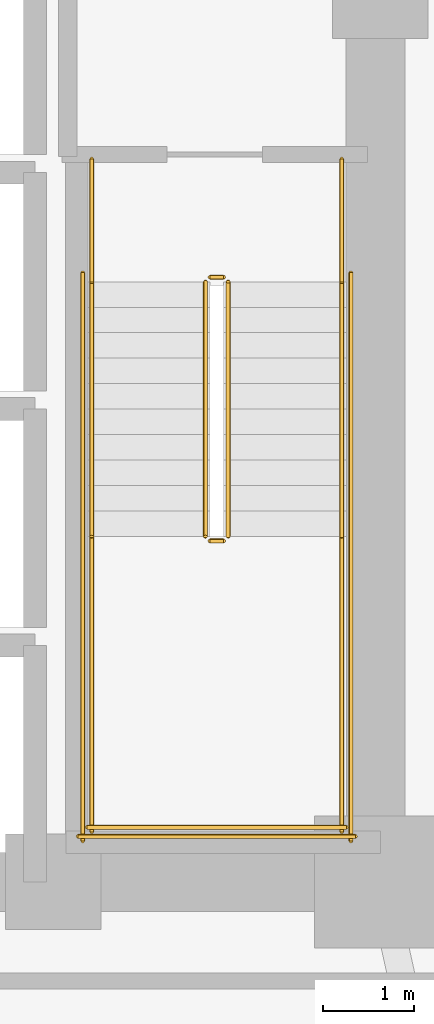
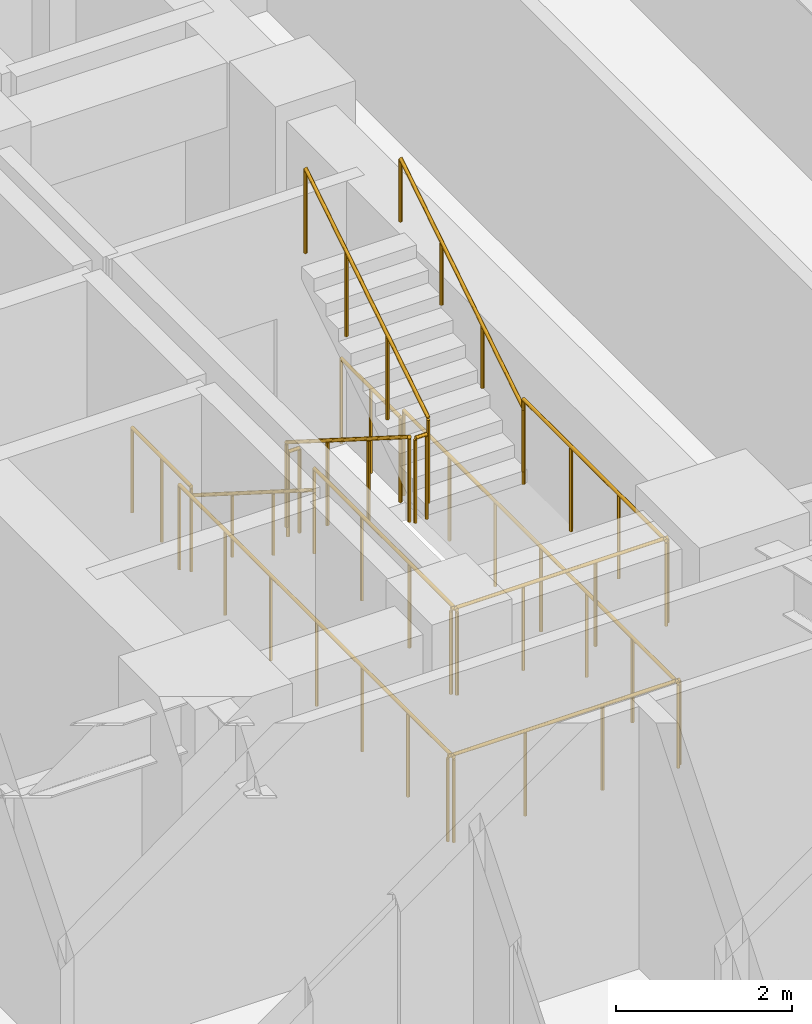
# One storey, part 11 of 11: 14 railings.
"""IFC4 building model written with IfcOpenShell, lengths in metres."""

from ifc_helpers import new_model, si_unit, direction, frame, origin, origin_2d, place, context, subcontext, project, spatial, circle, extrude, material, type_object, element, save


model = new_model("IFC4")

# Units and contexts
model_context = context("Model", 3, precision=1e-05, world=origin(), true_north=direction((0.0, 1.0)))
body_context = subcontext(model_context, "Body", "Model", "MODEL_VIEW")
ifc_project = project(units=[si_unit("LENGTHUNIT", "METRE"), si_unit("AREAUNIT", "SQUARE_METRE"), si_unit("VOLUMEUNIT", "CUBIC_METRE"), si_unit("PLANEANGLEUNIT", "RADIAN"), si_unit("MASSUNIT", "GRAM", prefix="KILO")], contexts=[model_context])

# Site, building, storey
site_placement = place(None, origin())
site = spatial("IfcSite", under=ifc_project, at=site_placement, CompositionType="ELEMENT")
building_placement = place(site_placement, origin())
building = spatial("IfcBuilding", under=site, at=building_placement, Name="Voryun Gate Residences", CompositionType="ELEMENT")
storey_placement = place(building_placement, frame((0.0, 0.0, 37.699951171875)))
storey = spatial("IfcBuildingStorey", under=building, at=storey_placement, Name="L08", CompositionType="ELEMENT", Elevation=37.699951171875)

# Railings
ifc_material_1 = material(Name="Painted steel", Category="steel")
railing_type_1 = type_object("IfcRailingType", Name="RAIL_STAIR_GUARD_1200", PredefinedType="GUARDRAIL", material=ifc_material_1)
railing_1_placement = place(storey_placement, frame((17.27490234375, -0.800048828125, 0.17724609375)))
element("IfcRailing", 1, at=railing_1_placement, inside=storey, type_object=railing_type_1, Name="L08 ST-E1 stair guard 1", PredefinedType="GUARDRAIL", context=body_context, shape_type="SweptSolid", body=[
    extrude(circle(Radius=0.02392578125, at=origin_2d()), frame((0.0, 0.0, 1.17578125), z_axis=(0.0, -0.844908973607, 0.534910110503), x_axis=(1.0, 0.0, 0.0)), (0.0, 0.0, 1.0), 3.31396484375),
    extrude(circle(Radius=0.02099609375, at=origin_2d()), origin(), (0.0, 0.0, 1.0), 1.15185546875),
    extrude(circle(Radius=0.02099609375, at=origin_2d()), frame((0.0, -0.933349609375, 0.5908203125)), (0.0, 0.0, 1.0), 1.15185546875),
    extrude(circle(Radius=0.02099609375, at=origin_2d()), frame((0.0, -1.86669921875, 1.181884765625)), (0.0, 0.0, 1.0), 1.15185546875),
    extrude(circle(Radius=0.02099609375, at=origin_2d()), frame((0.0, -2.800048828125, 1.772705078125)), (0.0, 0.0, 1.0), 1.15185546875),
])
railing_2_placement = place(storey_placement, frame((17.324951171875, -3.64990234375, 1.949951171875)))
element("IfcRailing", 2, at=railing_2_placement, inside=storey, type_object=railing_type_1, Name="L08 ST-E1 stair guard 2", PredefinedType="GUARDRAIL", context=body_context, shape_type="SweptSolid", body=[
    extrude(circle(Radius=0.02392578125, at=origin_2d()), frame((0.0, 0.0, 1.17578125), z_axis=(1.0, 0.0, 0.0), x_axis=(0.0, 1.0, 0.0)), (0.0, 0.0, 1.0), 0.150146484375),
    extrude(circle(Radius=0.02099609375, at=origin_2d()), origin(), (0.0, 0.0, 1.0), 1.15185546875),
    extrude(circle(Radius=0.02099609375, at=origin_2d()), frame((0.150146484375, 0.0, 0.0)), (0.0, 0.0, 1.0), 1.15185546875),
])
for number, where, name in (
    (3, (16.02490234375, -3.60009765625, 1.949951171875), "L08 ST-E1 stair guard 3"),
    (4, (18.77490234375, -3.60009765625, 1.949951171875), "L08 ST-E1 stair guard 4"),
):
    element("IfcRailing", number, at=place(storey_placement, frame(where)), inside=storey, type_object=railing_type_1, Name=name, PredefinedType="GUARDRAIL", context=body_context, shape_type="SweptSolid", body=[
        extrude(circle(Radius=0.02392578125, at=origin_2d()), frame((0.0, 0.0, 1.17578125), z_axis=(0.0, -1.0, 0.0), x_axis=(1.0, 0.0, 0.0)), (0.0, 0.0, 1.0), 3.25),
        extrude(circle(Radius=0.02099609375, at=origin_2d()), origin(), (0.0, 0.0, 1.0), 1.15185546875),
        extrude(circle(Radius=0.02099609375, at=origin_2d()), frame((0.0, -1.083251953125, 0.0)), (0.0, 0.0, 1.0), 1.15185546875),
        extrude(circle(Radius=0.02099609375, at=origin_2d()), frame((0.0, -2.166748046875, 0.0)), (0.0, 0.0, 1.0), 1.15185546875),
        extrude(circle(Radius=0.02099609375, at=origin_2d()), frame((0.0, -3.25, 0.0)), (0.0, 0.0, 1.0), 1.15185546875),
    ])
railing_3_placement = place(storey_placement, frame((15.97509765625, -6.800048828125, 1.949951171875)))
element("IfcRailing", 5, at=railing_3_placement, inside=storey, type_object=railing_type_1, Name="L08 ST-E1 stair guard 5", PredefinedType="GUARDRAIL", context=body_context, shape_type="SweptSolid", body=[
    extrude(circle(Radius=0.02392578125, at=origin_2d()), frame((0.0, 0.0, 1.17578125), z_axis=(1.0, 0.0, 0.0), x_axis=(0.0, 1.0, 0.0)), (0.0, 0.0, 1.0), 2.849853515625),
    extrude(circle(Radius=0.02099609375, at=origin_2d()), origin(), (0.0, 0.0, 1.0), 1.15185546875),
    extrude(circle(Radius=0.02099609375, at=origin_2d()), frame((0.949951171875, 0.0, 0.0)), (0.0, 0.0, 1.0), 1.15185546875),
    extrude(circle(Radius=0.02099609375, at=origin_2d()), frame((1.89990234375, 0.0, 0.0)), (0.0, 0.0, 1.0), 1.15185546875),
    extrude(circle(Radius=0.02099609375, at=origin_2d()), frame((2.849853515625, 0.0, 0.0)), (0.0, 0.0, 1.0), 1.15185546875),
])
railing_4_placement = place(storey_placement, frame((17.52490234375, -3.60009765625, 2.12744140625)))
element("IfcRailing", 6, at=railing_4_placement, inside=storey, type_object=railing_type_1, Name="L08 ST-E1 stair guard 6", PredefinedType="GUARDRAIL", context=body_context, shape_type="SweptSolid", body=[
    extrude(circle(Radius=0.02392578125, at=origin_2d()), frame((0.0, 0.0, 1.17578125), z_axis=(0.0, 0.844908973607, 0.534910110503), x_axis=(-1.0, 0.0, 0.0)), (0.0, 0.0, 1.0), 3.31396484375),
    extrude(circle(Radius=0.02099609375, at=origin_2d()), origin(), (0.0, 0.0, 1.0), 1.15185546875),
    extrude(circle(Radius=0.02099609375, at=origin_2d()), frame((0.0, 0.933349609375, 0.5908203125)), (0.0, 0.0, 1.0), 1.15185546875),
    extrude(circle(Radius=0.02099609375, at=origin_2d()), frame((0.0, 1.86669921875, 1.181884765625)), (0.0, 0.0, 1.0), 1.15185546875),
    extrude(circle(Radius=0.02099609375, at=origin_2d()), frame((0.0, 2.800048828125, 1.772705078125)), (0.0, 0.0, 1.0), 1.15185546875),
])
railing_5_placement = place(storey_placement, frame((17.324951171875, -0.75, 0.0)))
element("IfcRailing", 7, at=railing_5_placement, inside=storey, type_object=railing_type_1, Name="L08 ST-E1 stair guard 7", PredefinedType="GUARDRAIL", context=body_context, shape_type="SweptSolid", body=[
    extrude(circle(Radius=0.02392578125, at=origin_2d()), frame((0.0, 0.0, 1.17578125), z_axis=(1.0, 0.0, 0.0), x_axis=(0.0, 1.0, 0.0)), (0.0, 0.0, 1.0), 0.150146484375),
    extrude(circle(Radius=0.02099609375, at=origin_2d()), origin(), (0.0, 0.0, 1.0), 1.15185546875),
    extrude(circle(Radius=0.02099609375, at=origin_2d()), frame((0.150146484375, 0.0, 0.0)), (0.0, 0.0, 1.0), 1.15185546875),
])
for number, where, name in (
    (8, (16.02490234375, 0.550048828125, 0.0), "L08 ST-E1 stair guard 8"),
    (9, (18.77490234375, 0.550048828125, 0.0), "L08 ST-E1 stair guard 9"),
):
    element("IfcRailing", number, at=place(storey_placement, frame(where)), inside=storey, type_object=railing_type_1, Name=name, PredefinedType="GUARDRAIL", context=body_context, shape_type="SweptSolid", body=[
        extrude(circle(Radius=0.02392578125, at=origin_2d()), frame((0.0, 0.0, 1.17578125), z_axis=(0.0, -1.0, 0.0), x_axis=(1.0, 0.0, 0.0)), (0.0, 0.0, 1.0), 1.35009765625),
        extrude(circle(Radius=0.02099609375, at=origin_2d()), origin(), (0.0, 0.0, 1.0), 1.15185546875),
        extrude(circle(Radius=0.02099609375, at=origin_2d()), frame((0.0, -0.675048828125, 0.0)), (0.0, 0.0, 1.0), 1.15185546875),
        extrude(circle(Radius=0.02099609375, at=origin_2d()), frame((0.0, -1.35009765625, 0.0)), (0.0, 0.0, 1.0), 1.15185546875),
    ])
for number, where, name in (
    (10, (15.925048828125, -0.699951171875, 0.0), "L08 ST-E1 stair guard 10"),
    (11, (18.875, -0.699951171875, 0.0), "L08 ST-E1 stair guard 11"),
):
    element("IfcRailing", number, at=place(storey_placement, frame(where)), inside=storey, type_object=railing_type_1, Name=name, PredefinedType="GUARDRAIL", context=body_context, shape_type="SweptSolid", body=[
        extrude(circle(Radius=0.02392578125, at=origin_2d()), frame((0.0, 0.0, 1.17578125), z_axis=(0.0, -1.0, 0.0), x_axis=(1.0, 0.0, 0.0)), (0.0, 0.0, 1.0), 6.25),
        extrude(circle(Radius=0.02099609375, at=origin_2d()), origin(), (0.0, 0.0, 1.0), 1.15185546875),
        extrude(circle(Radius=0.02099609375, at=origin_2d()), frame((0.0, -1.041748046875, 0.0)), (0.0, 0.0, 1.0), 1.15185546875),
        extrude(circle(Radius=0.02099609375, at=origin_2d()), frame((0.0, -2.083251953125, 0.0)), (0.0, 0.0, 1.0), 1.15185546875),
        extrude(circle(Radius=0.02099609375, at=origin_2d()), frame((0.0, -3.125, 0.0)), (0.0, 0.0, 1.0), 1.15185546875),
        extrude(circle(Radius=0.02099609375, at=origin_2d()), frame((0.0, -4.166748046875, 0.0)), (0.0, 0.0, 1.0), 1.15185546875),
        extrude(circle(Radius=0.02099609375, at=origin_2d()), frame((0.0, -5.208251953125, 0.0)), (0.0, 0.0, 1.0), 1.15185546875),
        extrude(circle(Radius=0.02099609375, at=origin_2d()), frame((0.0, -6.25, 0.0)), (0.0, 0.0, 1.0), 1.15185546875),
    ])
railing_6_placement = place(storey_placement, frame((15.875, -6.89990234375, 0.0)))
element("IfcRailing", 12, at=railing_6_placement, inside=storey, type_object=railing_type_1, Name="L08 ST-E1 stair guard 12", PredefinedType="GUARDRAIL", context=body_context, shape_type="SweptSolid", body=[
    extrude(circle(Radius=0.02392578125, at=origin_2d()), frame((0.0, 0.0, 1.17578125), z_axis=(1.0, 0.0, 0.0), x_axis=(0.0, 1.0, 0.0)), (0.0, 0.0, 1.0), 3.050048828125),
    extrude(circle(Radius=0.02099609375, at=origin_2d()), origin(), (0.0, 0.0, 1.0), 1.15185546875),
    extrude(circle(Radius=0.02099609375, at=origin_2d()), frame((1.0166015625, 0.0, 0.0)), (0.0, 0.0, 1.0), 1.15185546875),
    extrude(circle(Radius=0.02099609375, at=origin_2d()), frame((2.033447265625, 0.0, 0.0)), (0.0, 0.0, 1.0), 1.15185546875),
    extrude(circle(Radius=0.02099609375, at=origin_2d()), frame((3.050048828125, 0.0, 0.0)), (0.0, 0.0, 1.0), 1.15185546875),
])
ifc_material_2 = material(Name="Painted steel", Category="steel")
railing_type_2 = type_object("IfcRailingType", Name="RAIL_STAIR_HANDRAIL_900", PredefinedType="HANDRAIL", material=ifc_material_2)
railing_7_placement = place(storey_placement, frame((16.02490234375, -0.800048828125, 0.17724609375)))
element("IfcRailing", 13, at=railing_7_placement, inside=storey, type_object=railing_type_2, Name="L08 ST-E1 stair handrail 1", PredefinedType="HANDRAIL", context=body_context, shape_type="SweptSolid", body=[
    extrude(circle(Radius=0.02392578125, at=origin_2d()), frame((0.0, 0.0, 0.8759765625), z_axis=(0.0, -0.844908973607, 0.534910110503), x_axis=(1.0, 0.0, 0.0)), (0.0, 0.0, 1.0), 3.31396484375),
    extrude(circle(Radius=0.02099609375, at=origin_2d()), origin(), (0.0, 0.0, 1.0), 0.851806640625),
    extrude(circle(Radius=0.02099609375, at=origin_2d()), frame((0.0, -0.933349609375, 0.5908203125)), (0.0, 0.0, 1.0), 0.851806640625),
    extrude(circle(Radius=0.02099609375, at=origin_2d()), frame((0.0, -1.86669921875, 1.181884765625)), (0.0, 0.0, 1.0), 0.851806640625),
    extrude(circle(Radius=0.02099609375, at=origin_2d()), frame((0.0, -2.800048828125, 1.772705078125)), (0.0, 0.0, 1.0), 0.851806640625),
])
railing_8_placement = place(storey_placement, frame((18.77490234375, -3.60009765625, 2.12744140625)))
element("IfcRailing", 14, at=railing_8_placement, inside=storey, type_object=railing_type_2, Name="L08 ST-E1 stair handrail 2", PredefinedType="HANDRAIL", context=body_context, shape_type="SweptSolid", body=[
    extrude(circle(Radius=0.02392578125, at=origin_2d()), frame((0.0, 0.0, 0.8759765625), z_axis=(0.0, 0.844908973607, 0.534910110503), x_axis=(-1.0, 0.0, 0.0)), (0.0, 0.0, 1.0), 3.31396484375),
    extrude(circle(Radius=0.02099609375, at=origin_2d()), origin(), (0.0, 0.0, 1.0), 0.851806640625),
    extrude(circle(Radius=0.02099609375, at=origin_2d()), frame((0.0, 0.933349609375, 0.5908203125)), (0.0, 0.0, 1.0), 0.851806640625),
    extrude(circle(Radius=0.02099609375, at=origin_2d()), frame((0.0, 1.86669921875, 1.181884765625)), (0.0, 0.0, 1.0), 0.851806640625),
    extrude(circle(Radius=0.02099609375, at=origin_2d()), frame((0.0, 2.800048828125, 1.772705078125)), (0.0, 0.0, 1.0), 0.851806640625),
])

save(model, "model.ifc")
